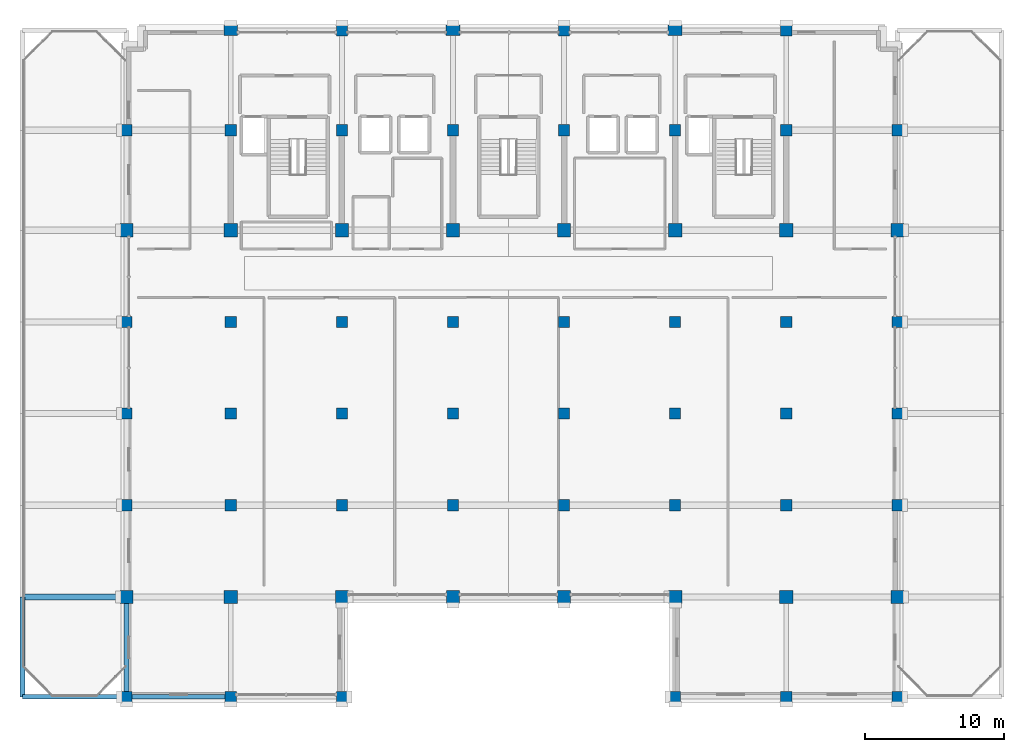
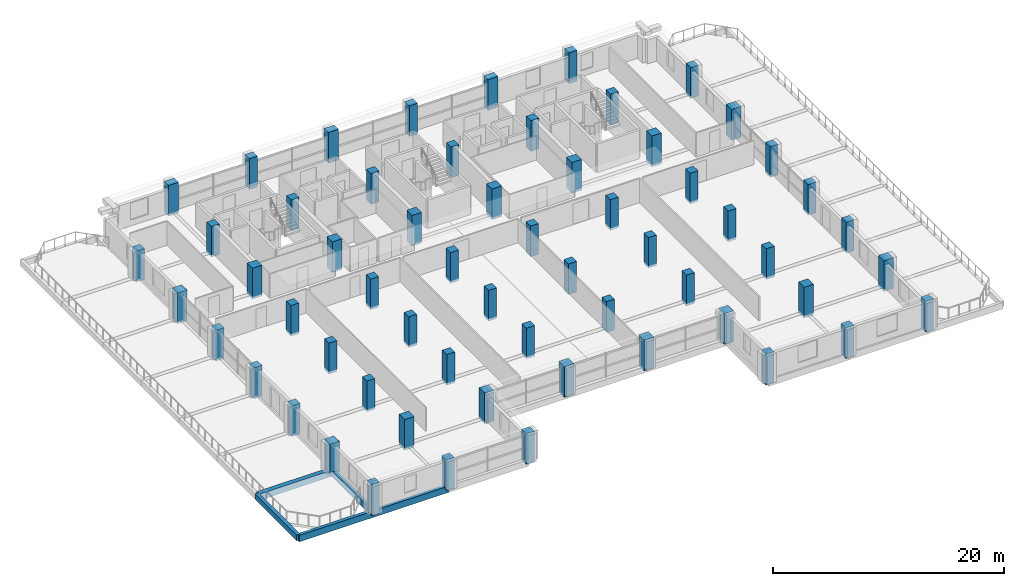
# One storey, part 1 of 22: 60 columns, 5 beams.
"""IFC4 building model written with IfcOpenShell, lengths in metres."""

from ifc_helpers import new_model, si_unit, direction, frame, origin, origin_2d, place, context, subcontext, project, spatial, rectangle, extrude, material, material_profile, profile_set, type_object, element, save


model = new_model("IFC4")

# Units and contexts
model_context = context("Model", 3, precision=1e-05, world=origin(), true_north=direction((0.0, 1.0)))
body_context = subcontext(model_context, "Body", "Model", "MODEL_VIEW")
ifc_project = project(units=[si_unit("LENGTHUNIT", "METRE"), si_unit("AREAUNIT", "SQUARE_METRE"), si_unit("VOLUMEUNIT", "CUBIC_METRE"), si_unit("PLANEANGLEUNIT", "RADIAN"), si_unit("MASSUNIT", "GRAM", prefix="KILO")], contexts=[model_context])

# Site, building, storey
site_placement = place(None, origin())
site = spatial("IfcSite", under=ifc_project, at=site_placement, CompositionType="ELEMENT")
building_placement = place(site_placement, origin())
building = spatial("IfcBuilding", under=site, at=building_placement, Name="Akrevak Sports Hall", CompositionType="ELEMENT")
storey_placement = place(building_placement, frame((0.0, 0.0, 40.550048828125)))
storey = spatial("IfcBuildingStorey", under=building, at=storey_placement, Name="L09", CompositionType="ELEMENT", Elevation=40.550048828125)

# Columns
ifc_material_1 = material(Name="Concrete C50/60", Category="concrete")
ifc_material_profile_1 = material_profile(ifc_material_1, rectangle(XDim=1.0, YDim=0.75, at=origin_2d()), Name="RC 1000x750", Category="concrete")
ifc_profile_set_1 = profile_set([ifc_material_profile_1], Name="Concrete C50/60")
column_type_1 = type_object("IfcColumnType", Name="STR-COL-RC1000x750", PredefinedType="COLUMN", material=ifc_profile_set_1)
for number, where, z_axis, x_axis, name in (
    (1, (60.0, 69.60009765625, -0.239990234375), (0.0, 0.0, 1.0), (1.0, 0.0, 0.0), "Column 9/K (L09)"),
    (2, (76.0, 69.60009765625, -0.239990234375), (0.0, 0.0, 1.0), (1.0, 0.0, 0.0), "Column 11/K (L09)"),
    (3, (92.0, 69.60009765625, -0.239990234375), (0.0, 0.0, 1.0), (1.0, 0.0, 0.0), "Column 13/K (L09)"),
):
    element("IfcColumn", number, at=place(storey_placement, frame(where, z_axis=z_axis, x_axis=x_axis)), inside=storey, type_object=column_type_1, Name=name, PredefinedType="COLUMN", context=body_context, shape_type="SweptSolid", body=[
        extrude(rectangle(XDim=1.0, YDim=0.75, at=origin_2d()), origin(), (0.0, 0.0, 1.0), 3.25),
    ])
ifc_material_2 = material(Name="Concrete C40/50", Category="concrete")
ifc_material_profile_2 = material_profile(ifc_material_2, rectangle(XDim=0.800048828125, YDim=0.800048828125, at=origin_2d()), Name="RC 800x800", Category="concrete")
ifc_profile_set_2 = profile_set([ifc_material_profile_2], Name="Concrete C40/50")
column_type_2 = type_object("IfcColumnType", Name="STR-COL-RC800", PredefinedType="COLUMN", material=ifc_profile_set_2)
for number, where, z_axis, x_axis, name in (
    (4, (52.5, 21.60009765625, -0.239990234375), (0.0, 0.0, 1.0), (1.0, 0.0, 0.0), "Column 8/D (L09)"),
    (5, (52.5, 35.39990234375, -0.239990234375), (0.0, 0.0, 1.0), (1.0, 0.0, 0.0), "Column 8/F (L09)"),
    (6, (52.5, 42.0, -0.239990234375), (0.0, 0.0, 1.0), (1.0, 0.0, 0.0), "Column 8/G (L09)"),
    (7, (52.5, 48.60009765625, -0.239990234375), (0.0, 0.0, 1.0), (1.0, 0.0, 0.0), "Column 8/H (L09)"),
    (8, (52.5, 62.39990234375, -0.239990234375), (0.0, 0.0, 1.0), (1.0, 0.0, 0.0), "Column 8/J (L09)"),
    (9, (60.0, 21.60009765625, -0.239990234375), (0.0, 0.0, 1.0), (1.0, 0.0, 0.0), "Column 9/D (L09)"),
    (10, (60.0, 35.39990234375, -0.239990234375), (0.0, 0.0, 1.0), (1.0, 0.0, 0.0), "Column 9/F (L09)"),
    (11, (60.0, 42.0, -0.239990234375), (0.0, 0.0, 1.0), (1.0, 0.0, 0.0), "Column 9/G (L09)"),
    (12, (60.0, 48.60009765625, -0.239990234375), (0.0, 0.0, 1.0), (1.0, 0.0, 0.0), "Column 9/H (L09)"),
    (13, (60.0, 62.39990234375, -0.239990234375), (0.0, 0.0, 1.0), (1.0, 0.0, 0.0), "Column 9/J (L09)"),
    (14, (68.0, 21.60009765625, -0.239990234375), (0.0, 0.0, 1.0), (1.0, 0.0, 0.0), "Column 10/D (L09)"),
    (15, (68.0, 35.39990234375, -0.239990234375), (0.0, 0.0, 1.0), (1.0, 0.0, 0.0), "Column 10/F (L09)"),
    (16, (68.0, 42.0, -0.239990234375), (0.0, 0.0, 1.0), (1.0, 0.0, 0.0), "Column 10/G (L09)"),
    (17, (68.0, 48.60009765625, -0.239990234375), (0.0, 0.0, 1.0), (1.0, 0.0, 0.0), "Column 10/H (L09)"),
    (18, (68.0, 62.39990234375, -0.239990234375), (0.0, 0.0, 1.0), (1.0, 0.0, 0.0), "Column 10/J (L09)"),
    (19, (68.0, 69.60009765625, -0.239990234375), (0.0, 0.0, 1.0), (1.0, 0.0, 0.0), "Column 10/K (L09)"),
    (20, (76.0, 35.39990234375, -0.239990234375), (0.0, 0.0, 1.0), (1.0, 0.0, 0.0), "Column 11/F (L09)"),
    (21, (76.0, 42.0, -0.239990234375), (0.0, 0.0, 1.0), (1.0, 0.0, 0.0), "Column 11/G (L09)"),
    (22, (76.0, 48.60009765625, -0.239990234375), (0.0, 0.0, 1.0), (1.0, 0.0, 0.0), "Column 11/H (L09)"),
    (23, (76.0, 62.39990234375, -0.239990234375), (0.0, 0.0, 1.0), (1.0, 0.0, 0.0), "Column 11/J (L09)"),
    (24, (84.0, 35.39990234375, -0.239990234375), (0.0, 0.0, 1.0), (1.0, 0.0, 0.0), "Column 12/F (L09)"),
    (25, (84.0, 42.0, -0.239990234375), (0.0, 0.0, 1.0), (1.0, 0.0, 0.0), "Column 12/G (L09)"),
    (26, (84.0, 48.60009765625, -0.239990234375), (0.0, 0.0, 1.0), (1.0, 0.0, 0.0), "Column 12/H (L09)"),
    (27, (84.0, 62.39990234375, -0.239990234375), (0.0, 0.0, 1.0), (1.0, 0.0, 0.0), "Column 12/J (L09)"),
    (28, (84.0, 69.60009765625, -0.239990234375), (0.0, 0.0, 1.0), (1.0, 0.0, 0.0), "Column 12/K (L09)"),
    (29, (92.0, 21.60009765625, -0.239990234375), (0.0, 0.0, 1.0), (1.0, 0.0, 0.0), "Column 13/D (L09)"),
    (30, (92.0, 35.39990234375, -0.239990234375), (0.0, 0.0, 1.0), (1.0, 0.0, 0.0), "Column 13/F (L09)"),
    (31, (92.0, 42.0, -0.239990234375), (0.0, 0.0, 1.0), (1.0, 0.0, 0.0), "Column 13/G (L09)"),
    (32, (92.0, 48.60009765625, -0.239990234375), (0.0, 0.0, 1.0), (1.0, 0.0, 0.0), "Column 13/H (L09)"),
    (33, (92.0, 62.39990234375, -0.239990234375), (0.0, 0.0, 1.0), (1.0, 0.0, 0.0), "Column 13/J (L09)"),
    (34, (100.0, 21.60009765625, -0.239990234375), (0.0, 0.0, 1.0), (1.0, 0.0, 0.0), "Column 14/D (L09)"),
    (35, (100.0, 35.39990234375, -0.239990234375), (0.0, 0.0, 1.0), (1.0, 0.0, 0.0), "Column 14/F (L09)"),
    (36, (100.0, 42.0, -0.239990234375), (0.0, 0.0, 1.0), (1.0, 0.0, 0.0), "Column 14/G (L09)"),
    (37, (100.0, 48.60009765625, -0.239990234375), (0.0, 0.0, 1.0), (1.0, 0.0, 0.0), "Column 14/H (L09)"),
    (38, (100.0, 62.39990234375, -0.239990234375), (0.0, 0.0, 1.0), (1.0, 0.0, 0.0), "Column 14/J (L09)"),
    (39, (100.0, 69.60009765625, -0.239990234375), (0.0, 0.0, 1.0), (1.0, 0.0, 0.0), "Column 14/K (L09)"),
    (40, (108.0, 21.60009765625, -0.239990234375), (0.0, 0.0, 1.0), (1.0, 0.0, 0.0), "Column 15/D (L09)"),
    (41, (108.0, 35.39990234375, -0.239990234375), (0.0, 0.0, 1.0), (1.0, 0.0, 0.0), "Column 15/F (L09)"),
    (42, (108.0, 42.0, -0.239990234375), (0.0, 0.0, 1.0), (1.0, 0.0, 0.0), "Column 15/G (L09)"),
    (43, (108.0, 48.60009765625, -0.239990234375), (0.0, 0.0, 1.0), (1.0, 0.0, 0.0), "Column 15/H (L09)"),
    (44, (108.0, 62.39990234375, -0.239990234375), (0.0, 0.0, 1.0), (1.0, 0.0, 0.0), "Column 15/J (L09)"),
):
    element("IfcColumn", number, at=place(storey_placement, frame(where, z_axis=z_axis, x_axis=x_axis)), inside=storey, type_object=column_type_2, Name=name, PredefinedType="COLUMN", context=body_context, shape_type="SweptSolid", body=[
        extrude(rectangle(XDim=0.800048828125, YDim=0.800048828125, at=origin_2d()), origin(), (0.0, 0.0, 1.0), 3.25),
    ])
ifc_material_profile_3 = material_profile(ifc_material_1, rectangle(XDim=0.949951171875, YDim=0.949951171875, at=origin_2d()), Name="RC 950x950", Category="concrete")
ifc_profile_set_3 = profile_set([ifc_material_profile_3], Name="Concrete C50/60")
column_type_3 = type_object("IfcColumnType", Name="STR-COL-RC950", PredefinedType="COLUMN", material=ifc_profile_set_3)
for number, where, z_axis, x_axis, name in (
    (45, (52.5, 28.800048828125, -0.239990234375), (0.0, 0.0, 1.0), (1.0, 0.0, 0.0), "Column 8/E (L09)"),
    (46, (52.5, 55.199951171875, -0.239990234375), (0.0, 0.0, 1.0), (1.0, 0.0, 0.0), "Column 8/I (L09)"),
    (47, (60.0, 28.800048828125, -0.239990234375), (0.0, 0.0, 1.0), (1.0, 0.0, 0.0), "Column 9/E (L09)"),
    (48, (60.0, 55.199951171875, -0.239990234375), (0.0, 0.0, 1.0), (1.0, 0.0, 0.0), "Column 9/I (L09)"),
    (49, (68.0, 28.800048828125, -0.239990234375), (0.0, 0.0, 1.0), (1.0, 0.0, 0.0), "Column 10/E (L09)"),
    (50, (68.0, 55.199951171875, -0.239990234375), (0.0, 0.0, 1.0), (1.0, 0.0, 0.0), "Column 10/I (L09)"),
    (51, (76.0, 28.800048828125, -0.239990234375), (0.0, 0.0, 1.0), (1.0, 0.0, 0.0), "Column 11/E (L09)"),
    (52, (76.0, 55.199951171875, -0.239990234375), (0.0, 0.0, 1.0), (1.0, 0.0, 0.0), "Column 11/I (L09)"),
    (53, (84.0, 28.800048828125, -0.239990234375), (0.0, 0.0, 1.0), (1.0, 0.0, 0.0), "Column 12/E (L09)"),
    (54, (84.0, 55.199951171875, -0.239990234375), (0.0, 0.0, 1.0), (1.0, 0.0, 0.0), "Column 12/I (L09)"),
    (55, (92.0, 28.800048828125, -0.239990234375), (0.0, 0.0, 1.0), (1.0, 0.0, 0.0), "Column 13/E (L09)"),
    (56, (92.0, 55.199951171875, -0.239990234375), (0.0, 0.0, 1.0), (1.0, 0.0, 0.0), "Column 13/I (L09)"),
    (57, (100.0, 28.800048828125, -0.239990234375), (0.0, 0.0, 1.0), (1.0, 0.0, 0.0), "Column 14/E (L09)"),
    (58, (100.0, 55.199951171875, -0.239990234375), (0.0, 0.0, 1.0), (1.0, 0.0, 0.0), "Column 14/I (L09)"),
    (59, (108.0, 28.800048828125, -0.239990234375), (0.0, 0.0, 1.0), (1.0, 0.0, 0.0), "Column 15/E (L09)"),
    (60, (108.0, 55.199951171875, -0.239990234375), (0.0, 0.0, 1.0), (1.0, 0.0, 0.0), "Column 15/I (L09)"),
):
    element("IfcColumn", number, at=place(storey_placement, frame(where, z_axis=z_axis, x_axis=x_axis)), inside=storey, type_object=column_type_3, Name=name, PredefinedType="COLUMN", context=body_context, shape_type="SweptSolid", body=[
        extrude(rectangle(XDim=0.949951171875, YDim=0.949951171875, at=origin_2d()), origin(), (0.0, 0.0, 1.0), 3.25),
    ])

# Beams
ifc_material_profile_4 = material_profile(ifc_material_2, rectangle(XDim=0.35009765625, YDim=0.60009765625, at=origin_2d()), Name="BM 350x600", Category="concrete")
ifc_profile_set_4 = profile_set([ifc_material_profile_4], Name="Concrete C40/50")
beam_type_1 = type_object("IfcBeamType", Name="STR-BM-RC350x600", PredefinedType="BEAM", material=ifc_profile_set_4)
for number, where, z_axis, x_axis, name in (
    (61, (45.0, 21.60009765625, -0.300048828125), (0.0, 1.0, 0.0), (-1.0, 0.0, 0.0), "Girder 7/D-E (L09)"),
    (62, (52.5, 21.60009765625, -0.300048828125), (0.0, 1.0, 0.0), (-1.0, 0.0, 0.0), "Girder 8/D-E (L09)"),
):
    element("IfcBeam", number, at=place(storey_placement, frame(where, z_axis=z_axis, x_axis=x_axis)), inside=storey, type_object=beam_type_1, Name=name, PredefinedType="BEAM", context=body_context, shape_type="SweptSolid", body=[
        extrude(rectangle(XDim=0.35009765625, YDim=0.60009765625, at=origin_2d()), origin(), (0.0, 0.0, 1.0), 7.199951171875),
    ])
ifc_material_profile_5 = material_profile(ifc_material_2, rectangle(XDim=0.449951171875, YDim=0.64990234375, at=origin_2d()), Name="BM 450x650", Category="concrete")
ifc_profile_set_5 = profile_set([ifc_material_profile_5], Name="Concrete C40/50")
beam_type_2 = type_object("IfcBeamType", Name="STR-BM-RC450x650", PredefinedType="BEAM", material=ifc_profile_set_5)
beam_placement = place(storey_placement, frame((45.0, 28.800048828125, -0.324951171875), z_axis=(1.0, 0.0, 0.0), x_axis=(0.0, 1.0, 0.0)))
element("IfcBeam", 63, at=beam_placement, inside=storey, type_object=beam_type_2, Name="Girder E/7-8 (L09)", PredefinedType="BEAM", context=body_context, shape_type="SweptSolid", body=[
    extrude(rectangle(XDim=0.449951171875, YDim=0.64990234375, at=origin_2d()), origin(), (0.0, 0.0, 1.0), 7.5),
])
ifc_material_profile_6 = material_profile(ifc_material_2, rectangle(XDim=0.320068359375, YDim=0.679931640625, at=origin_2d()), Name="SPD 320x680", Category="concrete")
ifc_profile_set_6 = profile_set([ifc_material_profile_6], Name="Concrete C40/50")
beam_type_3 = type_object("IfcBeamType", Name="STR-SPD-RC320x680", PredefinedType="SPANDREL", material=ifc_profile_set_6)
for number, where, z_axis, x_axis, name in (
    (64, (45.0, 21.60009765625, -0.340087890625), (1.0, 0.0, 0.0), (0.0, 1.0, 0.0), "Girder D/7-8 (L09)"),
    (65, (52.5, 21.60009765625, -0.340087890625), (1.0, 0.0, 0.0), (0.0, 1.0, 0.0), "Girder D/8-9 (L09)"),
):
    element("IfcBeam", number, at=place(storey_placement, frame(where, z_axis=z_axis, x_axis=x_axis)), inside=storey, type_object=beam_type_3, Name=name, PredefinedType="SPANDREL", context=body_context, shape_type="SweptSolid", body=[
        extrude(rectangle(XDim=0.320068359375, YDim=0.679931640625, at=origin_2d()), origin(), (0.0, 0.0, 1.0), 7.5),
    ])

save(model, "model.ifc")
